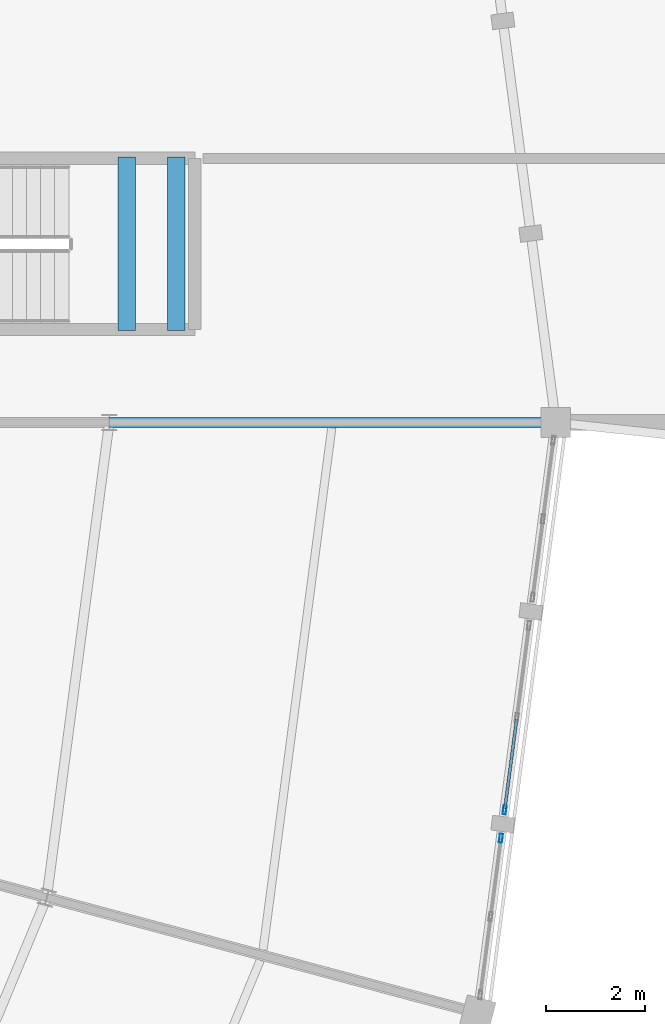
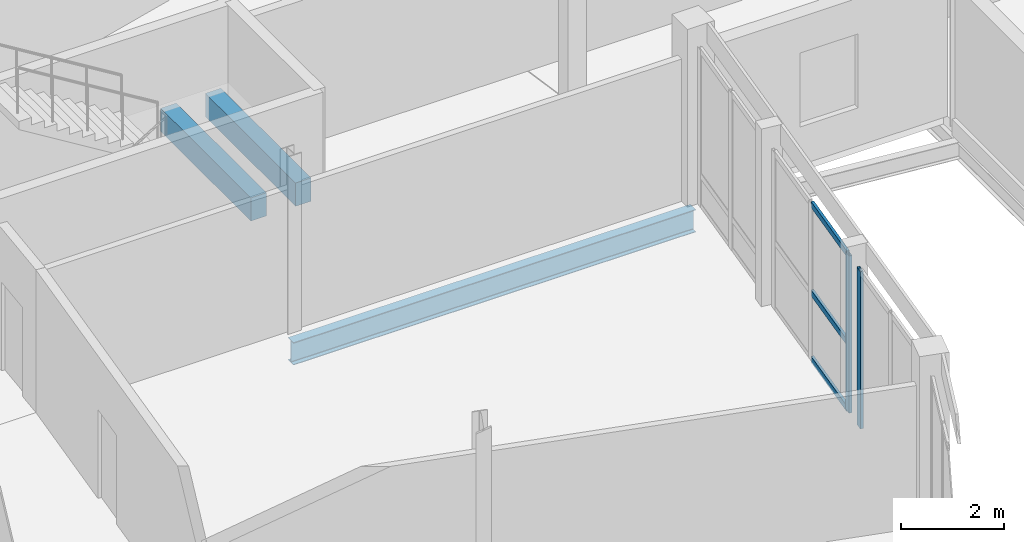
# One storey, part 106 of 170: 5 members, 3 beams, 2 elements without a shape of their own.
"""IFC4 building model written with IfcOpenShell, lengths in metres."""

from ifc_helpers import new_model, si_unit, direction, frame, origin, origin_2d, place, context, subcontext, project, spatial, rectangle, hollow_rectangle, i_section, extrude, material, material_profile, profile_set, type_object, element, aggregate, save


model = new_model("IFC4")

# Units and contexts
model_context = context("Model", 3, precision=1e-05, world=origin(), true_north=direction((0.0, 1.0)))
body_context = subcontext(model_context, "Body", "Model", "MODEL_VIEW")
ifc_project = project(units=[si_unit("LENGTHUNIT", "METRE"), si_unit("AREAUNIT", "SQUARE_METRE"), si_unit("VOLUMEUNIT", "CUBIC_METRE"), si_unit("PLANEANGLEUNIT", "RADIAN"), si_unit("MASSUNIT", "GRAM", prefix="KILO")], contexts=[model_context])

# Site, building, storey
site_placement = place(None, origin())
site = spatial("IfcSite", under=ifc_project, at=site_placement, CompositionType="ELEMENT")
building_placement = place(site_placement, origin())
building = spatial("IfcBuilding", under=site, at=building_placement, Name="Vondelvale Polytechnic", CompositionType="ELEMENT")
storey_placement = place(building_placement, frame((0.0, 0.0, 5.39990234375)))
storey = spatial("IfcBuildingStorey", under=building, at=storey_placement, Name="L01", CompositionType="ELEMENT", Elevation=5.39990234375)

# Beams
ifc_material_1 = material(Name="Concrete N40 (f'c = 40 MPa)", Category="concrete")
ifc_material_profile_1 = material_profile(ifc_material_1, rectangle(XDim=0.35009765625, YDim=0.550048828125, at=origin_2d()), Name="RC-BM-350x550")
ifc_profile_set_1 = profile_set([ifc_material_profile_1], Name="Concrete N40 (f'c = 40 MPa)")
beam_type_1 = type_object("IfcBeamType", Name="BM-RC350x550", PredefinedType="BEAM", material=ifc_profile_set_1)
for number, where, z_axis, x_axis, name in (
    (1, (139.35009765625, 73.85009765625, 1.625), (0.0, 1.0, 0.0), (-1.0, 0.0, 0.0), "L01 STLD B-06"),
    (2, (140.35009765625, 73.85009765625, 1.625), (0.0, 1.0, 0.0), (-1.0, 0.0, 0.0), "L01 STLD B-06"),
):
    element("IfcBeam", number, at=place(storey_placement, frame(where, z_axis=z_axis, x_axis=x_axis)), inside=storey, type_object=beam_type_1, Name=name, PredefinedType="BEAM", context=body_context, shape_type="SweptSolid", body=[
        extrude(rectangle(XDim=0.35009765625, YDim=0.550048828125, at=origin_2d()), origin(), (0.0, 0.0, 1.0), 3.5),
    ])
ifc_material_2 = material(Name="Steel 300PLUS (fy = 300 MPa)", Category="steel")
ifc_material_profile_2 = material_profile(ifc_material_2, i_section(OverallWidth=0.208984375, OverallDepth=0.532958984375, WebThickness=0.01025390625, FlangeThickness=0.015625, FilletRadius=0.013916015625, at=origin_2d()), Name="530UB92.4")
ifc_profile_set_2 = profile_set([ifc_material_profile_2], Name="Steel 300PLUS (fy = 300 MPa)")
beam_type_2 = type_object("IfcBeamType", Name="BM-UB530", PredefinedType="BEAM", material=ifc_profile_set_2)
beam_placement = place(storey_placement, frame((139.0, 72.0, -0.54638671875), z_axis=(1.0, 0.0, 0.0), x_axis=(0.0, 1.0, 0.0)))
element("IfcBeam", 3, at=beam_placement, inside=storey, type_object=beam_type_2, Name="L01 RG B-11", PredefinedType="BEAM", context=body_context, shape_type="SweptSolid", body=[
    extrude(i_section(OverallWidth=0.208984375, OverallDepth=0.532958984375, WebThickness=0.01025390625, FlangeThickness=0.015625, FilletRadius=0.013916015625, at=origin_2d()), origin(), (0.0, 0.0, 1.0), 9.0),
])

# Curtain wall, member
ifc_material_3 = material(Name="Glulam GL18 structural Tasmanian oak (fb = 42 MPa)", Category="wood")
curtain_wall_type = type_object("IfcCurtainWallType", Name="CW-RING-OUTER", PredefinedType="NOTDEFINED", material=ifc_material_3)
curtain_wall_1_placement = place(storey_placement, origin())
curtain_wall_1 = element("IfcCurtainWall", 4, at=curtain_wall_1_placement, inside=storey, type_object=curtain_wall_type, Name="L01 architectural curtain wall CW-04-375", PredefinedType="NOTDEFINED")
ifc_material_4 = material(Name="Anodised extruded aluminium 6063-T6", Category="aluminium")
ifc_material_profile_3 = material_profile(ifc_material_4, hollow_rectangle(XDim=0.06494140625, YDim=0.179931640625, WallThickness=0.00390625, at=origin_2d()), Name="CW-MUL-180x65")
ifc_profile_set_3 = profile_set([ifc_material_profile_3], Name="Anodised extruded aluminium 6063-T6")
member_type_1 = type_object("IfcMemberType", Name="CW-MUL-65x180", PredefinedType="MULLION", material=ifc_profile_set_3)
member_1_placement = place(storey_placement, frame((146.896728515625, 63.619140625, 0.0), z_axis=(0.0, 0.0, 1.0), x_axis=(-0.991443102996, 0.130539547729, 0.0)))
member_1 = element("IfcMember", 5, at=member_1_placement, type_object=member_type_1, Name="CW-04-375 mullion 3", PredefinedType="MULLION", context=body_context, shape_type="SweptSolid", body=[
    extrude(hollow_rectangle(XDim=0.06494140625, YDim=0.179931640625, WallThickness=0.00390625, at=origin_2d()), origin(), (0.0, 0.0, 1.0), 3.72021484375),
])
aggregate(curtain_wall_1, [member_1])

# Curtain wall, members
curtain_wall_2_placement = place(storey_placement, origin())
curtain_wall_2 = element("IfcCurtainWall", 6, at=curtain_wall_2_placement, inside=storey, type_object=curtain_wall_type, Name="L01 architectural curtain wall CW-04-376", PredefinedType="NOTDEFINED")
member_2_placement = place(storey_placement, frame((146.9716796875, 64.189208984375, 0.0), z_axis=(0.0, 0.0, 1.0), x_axis=(-0.991448671082, 0.130497251349, 0.0)))
member_2 = element("IfcMember", 7, at=member_2_placement, type_object=member_type_1, Name="CW-04-376 mullion 1", PredefinedType="MULLION", context=body_context, shape_type="SweptSolid", body=[
    extrude(hollow_rectangle(XDim=0.06494140625, YDim=0.179931640625, WallThickness=0.00390625, at=origin_2d()), origin(), (0.0, 0.0, 1.0), 3.72021484375),
])
ifc_material_profile_4 = material_profile(ifc_material_4, hollow_rectangle(XDim=0.06005859375, YDim=0.139892578125, WallThickness=0.00341796875, at=origin_2d()), Name="CW-TRN-140x60")
ifc_profile_set_4 = profile_set([ifc_material_profile_4], Name="Anodised extruded aluminium 6063-T6")
member_type_2 = type_object("IfcMemberType", Name="CW-TRN-60x140", PredefinedType="USERDEFINED", material=ifc_profile_set_4)
member_3_placement = place(storey_placement, frame((146.97607421875, 64.221435546875, 0.030029296875), z_axis=(0.130510372288, 0.991446943979, 0.0), x_axis=(-0.991446943979, 0.130510372288, 0.0)))
member_3 = element("IfcMember", 8, at=member_3_placement, type_object=member_type_2, Name="CW-04-376 transom 1.1", ObjectType="TRANSOM", PredefinedType="USERDEFINED", context=body_context, shape_type="SweptSolid", body=[
    extrude(hollow_rectangle(XDim=0.06005859375, YDim=0.139892578125, WallThickness=0.00341796875, at=origin_2d()), origin(), (0.0, 0.0, 1.0), 1.808837890625),
])
member_4_placement = place(storey_placement, frame((146.97607421875, 64.221435546875, 1.60009765625), z_axis=(0.130510372288, 0.991446943979, 0.0), x_axis=(-0.991446943979, 0.130510372288, 0.0)))
member_4 = element("IfcMember", 9, at=member_4_placement, type_object=member_type_2, Name="CW-04-376 transom 1.2", ObjectType="TRANSOM", PredefinedType="USERDEFINED", context=body_context, shape_type="SweptSolid", body=[
    extrude(hollow_rectangle(XDim=0.06005859375, YDim=0.139892578125, WallThickness=0.00341796875, at=origin_2d()), origin(), (0.0, 0.0, 1.0), 1.808837890625),
])
member_5_placement = place(storey_placement, frame((146.97607421875, 64.221435546875, 3.690185546875), z_axis=(0.130510372288, 0.991446943979, 0.0), x_axis=(-0.991446943979, 0.130510372288, 0.0)))
member_5 = element("IfcMember", 10, at=member_5_placement, type_object=member_type_2, Name="CW-04-376 transom 1.3", ObjectType="TRANSOM", PredefinedType="USERDEFINED", context=body_context, shape_type="SweptSolid", body=[
    extrude(hollow_rectangle(XDim=0.06005859375, YDim=0.139892578125, WallThickness=0.00341796875, at=origin_2d()), origin(), (0.0, 0.0, 1.0), 1.808837890625),
])
aggregate(curtain_wall_2, [member_2, member_3, member_4, member_5])

save(model, "model.ifc")
